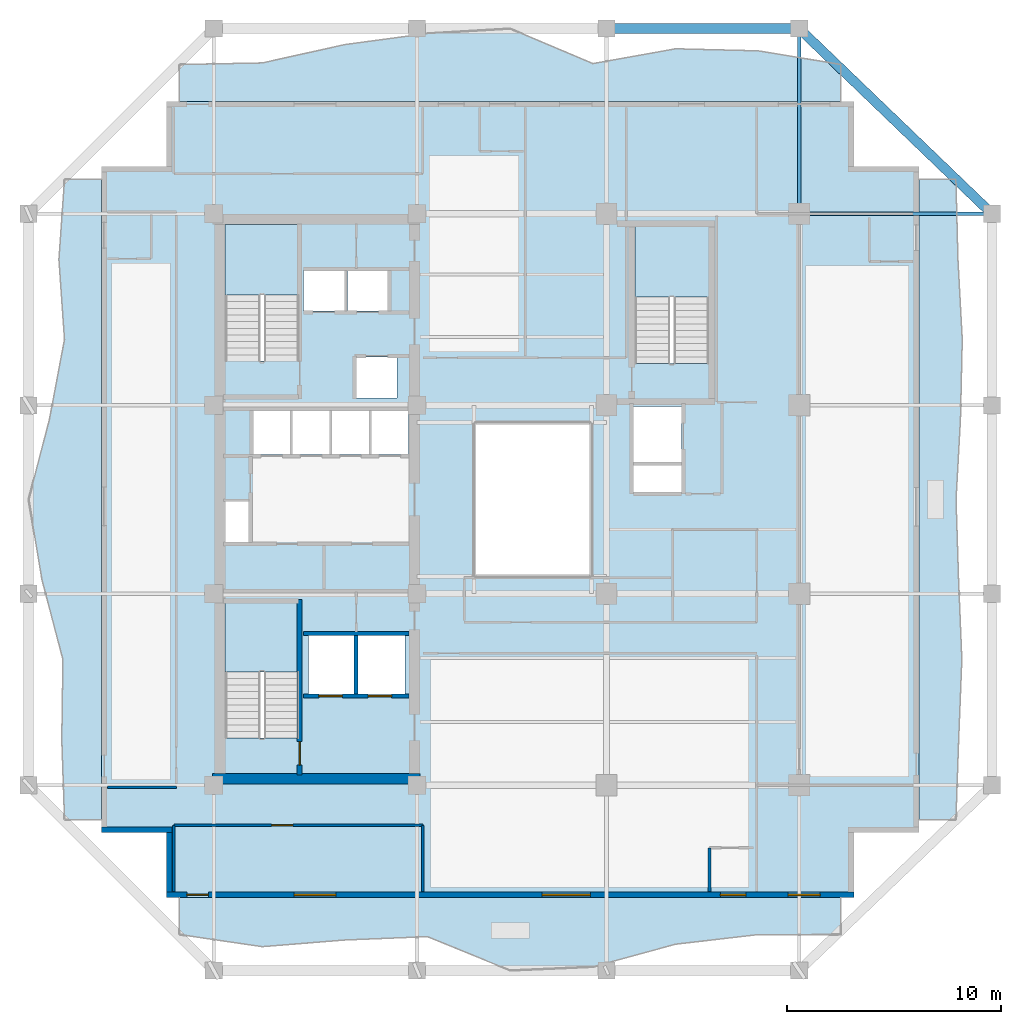
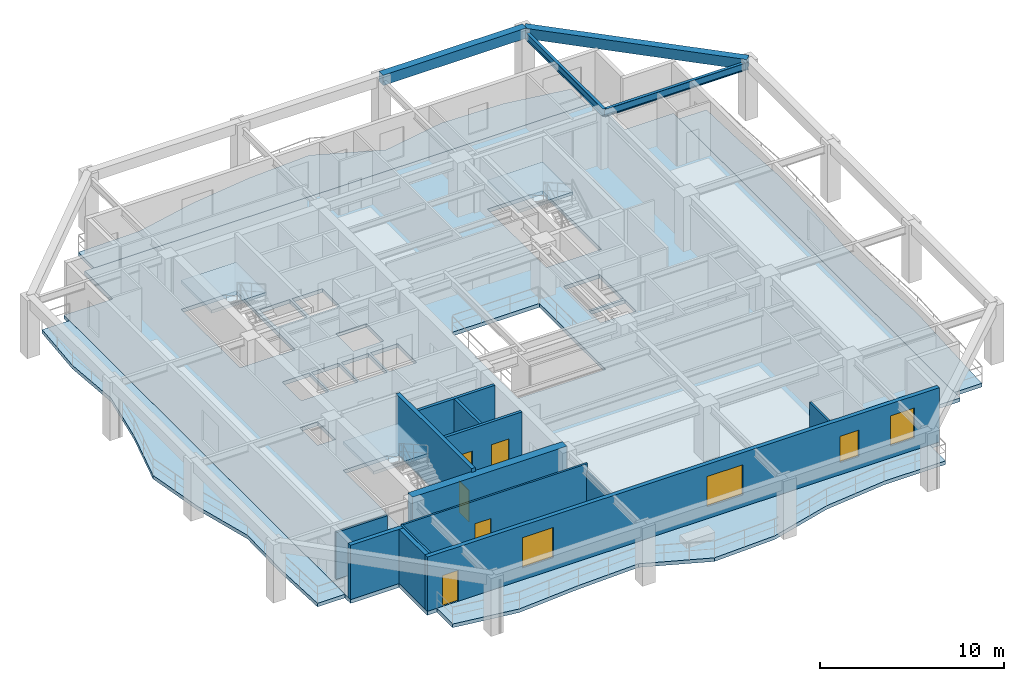
# One storey, part 2 of 10: 13 walls, 8 slabs, 5 doors, 4 beams, 4 windows, 9 openings, 3 elements without a shape of their own.
"""IFC4 building model written with IfcOpenShell, lengths in metres."""

import ifcopenshell
import ifcopenshell.guid

model = None  # the IFC model being written
_history = None  # IfcOwnerHistory: only IFC2X3 demands one
_inside = {}  # id of a spatial element -> (the spatial element, [elements in it])
_under = {}  # id of a project, library or spatial element -> (it, [spatial elements below it])
_declared = {}  # id of a project -> (the project, [libraries it declares])
_typed = {}  # id of a type object -> (the type object, [elements of that type])
_made_of = {}  # id of a material, layer set ... -> (it, [elements and type objects made of it])


def new_model(schema):
    """Start an empty IFC model of exactly this schema.

    Asked for "IFC4X3", IfcOpenShell would pick the latest addendum, in which some entities
    have other attributes; the version numbers below select the first issue.
    IFC2X3 requires an IfcOwnerHistory on every rooted entity: one is made here for all.
    """
    global model, _history
    if schema == "IFC4X3":
        model = ifcopenshell.file(schema_version=(4, 3, 0, 0))
    else:
        model = ifcopenshell.file(schema=schema)
    _inside.clear()
    _under.clear()
    _declared.clear()
    _typed.clear()
    _made_of.clear()
    _history = None
    if model.schema == "IFC2X3":
        org = make("IfcOrganization", Name="unknown")
        user = make(
            "IfcPersonAndOrganization",
            ThePerson=make("IfcPerson", FamilyName="unknown"),
            TheOrganization=org,
        )
        app = make(
            "IfcApplication",
            ApplicationDeveloper=org,
            Version="unknown",
            ApplicationFullName="unknown",
            ApplicationIdentifier="unknown",
        )
        _history = make(
            "IfcOwnerHistory",
            OwningUser=user,
            OwningApplication=app,
            ChangeAction="ADDED",
            CreationDate=0,
        )
    return model


def make(cls, **values):
    """One entity of the class cls with the attributes given. An attribute that is None is left unset."""
    return model.create_entity(
        cls, **{name: value for name, value in values.items() if value is not None}
    )


def rooted(cls, **values):
    """An entity with a GlobalId (a new one), such as an element, a storey or a relation."""
    return make(cls, GlobalId=ifcopenshell.guid.new(), OwnerHistory=_history, **values)


def si_unit(unit_type, name, prefix=None):
    """IfcSIUnit, for example si_unit("LENGTHUNIT", "METRE", prefix="MILLI")."""
    return make("IfcSIUnit", UnitType=unit_type, Prefix=prefix, Name=name)


def assignment(units):
    """IfcUnitAssignment: the units of a project."""
    return None if units is None else make("IfcUnitAssignment", Units=units)


def point(xyz):
    """IfcCartesianPoint."""
    return None if xyz is None else make("IfcCartesianPoint", Coordinates=xyz)


def direction(xyz):
    """IfcDirection."""
    return None if xyz is None else make("IfcDirection", DirectionRatios=xyz)


def frame(location, z_axis=None, x_axis=None):
    """IfcAxis2Placement3D, a coordinate frame: its origin and axes. An axis left out is left unset."""
    return make(
        "IfcAxis2Placement3D",
        Location=point(location),
        Axis=direction(z_axis),
        RefDirection=direction(x_axis),
    )


def frame_2d(location, x_axis=None):
    """IfcAxis2Placement2D, a coordinate frame in the plane: its origin and x axis."""
    return make(
        "IfcAxis2Placement2D", Location=point(location), RefDirection=direction(x_axis)
    )


def origin():
    """The frame at (0, 0, 0) with its axes left unset."""
    return frame((0.0, 0.0, 0.0))


def origin_2d():
    """The frame at (0, 0) in the plane with its x axis left unset."""
    return frame_2d((0.0, 0.0))


def place(relative_to, where):
    """IfcLocalPlacement: puts the frame where relative to a parent placement (None: the world)."""
    return make(
        "IfcLocalPlacement", PlacementRelTo=relative_to, RelativePlacement=where
    )


def context(
    kind, dimensions, precision=None, world=None, true_north=None, identifier=None
):
    """IfcGeometricRepresentationContext, for example the 3D "Model" context."""
    return make(
        "IfcGeometricRepresentationContext",
        ContextIdentifier=identifier,
        ContextType=kind,
        CoordinateSpaceDimension=dimensions,
        Precision=precision,
        WorldCoordinateSystem=world,
        TrueNorth=true_north,
    )


def subcontext(parent, identifier, kind, view, scale=None):
    """IfcGeometricRepresentationSubContext, for example "Body" below "Model"."""
    return make(
        "IfcGeometricRepresentationSubContext",
        ContextIdentifier=identifier,
        ContextType=kind,
        ParentContext=parent,
        TargetScale=scale,
        TargetView=view,
    )


def project(units=None, contexts=None):
    """IfcProject with its units and contexts."""
    return rooted(
        "IfcProject",
        Name="project",
        RepresentationContexts=contexts,
        UnitsInContext=assignment(units),
    )


def spatial(cls, under=None, at=None, **own):
    """A site, building, storey or space (cls), placed at a placement, below another one or the project."""
    s = rooted(cls, ObjectPlacement=at, **own)
    if under is not None:
        _under.setdefault(under.id(), (under, []))[1].append(s)
    return s


def polyline(points):
    """IfcPolyline through the points."""
    return make("IfcPolyline", Points=[point(p) for p in points])


def profile(cls, at=None, kind="AREA", **sizes):
    """A parametric profile (cls). Its sizes go by their IFC names, for example OverallWidth=200.0."""
    return make(cls, ProfileType=kind, Position=at, **sizes)


def rectangle(**sizes):
    """IfcRectangleProfileDef."""
    return profile("IfcRectangleProfileDef", **sizes)


def i_section(**sizes):
    """IfcIShapeProfileDef."""
    return profile("IfcIShapeProfileDef", **sizes)


def outline(outer, holes=None, kind="AREA"):
    """IfcArbitraryClosedProfileDef: a profile drawn as a closed curve; with holes, ...WithVoids."""
    if holes is None:
        return make("IfcArbitraryClosedProfileDef", ProfileType=kind, OuterCurve=outer)
    return make(
        "IfcArbitraryProfileDefWithVoids",
        ProfileType=kind,
        OuterCurve=outer,
        InnerCurves=holes,
    )


def extrude(swept, where, along, depth):
    """IfcExtrudedAreaSolid: the profile swept, set in the frame where, extruded along a direction by depth."""
    return make(
        "IfcExtrudedAreaSolid",
        SweptArea=swept,
        Position=where,
        ExtrudedDirection=direction(along),
        Depth=depth,
    )


def shape(context_of_items, identifier, shape_type, items):
    """IfcShapeRepresentation: the items that make up one representation, for example the "Body"."""
    return make(
        "IfcShapeRepresentation",
        ContextOfItems=context_of_items,
        RepresentationIdentifier=identifier,
        RepresentationType=shape_type,
        Items=items,
    )


def material(Name=None, Category=None):
    """IfcMaterial."""
    return make("IfcMaterial", Name=Name, Category=Category)


def layer(
    of_material, thickness, ventilated=None, Name=None, Category=None, Priority=None
):
    """IfcMaterialLayer: one layer of a wall or slab, of a material (None: an air gap)."""
    return make(
        "IfcMaterialLayer",
        Material=of_material,
        LayerThickness=thickness,
        IsVentilated=ventilated,
        Name=Name,
        Category=Category,
        Priority=Priority,
    )


def layer_set(layers, Name=None):
    """IfcMaterialLayerSet."""
    return make("IfcMaterialLayerSet", MaterialLayers=layers, LayerSetName=Name)


def material_profile(
    of_material, cross_section, Name=None, Category=None, Priority=None
):
    """IfcMaterialProfile: a cross section and its material."""
    return make(
        "IfcMaterialProfile",
        Name=Name,
        Material=of_material,
        Profile=cross_section,
        Priority=Priority,
        Category=Category,
    )


def profile_set(profiles, Name=None, composite=None):
    """IfcMaterialProfileSet."""
    return make(
        "IfcMaterialProfileSet",
        Name=Name,
        MaterialProfiles=profiles,
        CompositeProfile=composite,
    )


def made_of(thing, what):
    """Note that an element or type object is made of a material, layer set ...; save() writes the relation."""
    if what is not None:
        _made_of.setdefault(what.id(), (what, []))[1].append(thing)
    return thing


def type_object(cls, material=None, **own):
    """A type object (cls), such as IfcWallType, which elements share."""
    return made_of(rooted(cls, **own), material)


def element(
    cls,
    number,
    at=None,
    inside=None,
    cuts=None,
    type_object=None,
    material=None,
    context=None,
    identifier="Body",
    shape_type=None,
    held_by="IfcProductDefinitionShape",
    body=None,
    shapes=None,
    **own,
):
    """One element of the class cls, such as IfcWall. Its Tag is "e" and its number.

    at: its placement. inside: the storey or other place that contains it. cuts: it is an
    opening in that element (IfcRelVoidsElement). A single representation is given by context,
    identifier, shape_type and body (its items); several are given by shapes. held_by: the class
    of the entity that holds the representations. save() writes the other relations.
    """
    e = rooted(cls, Tag="e%d" % number, ObjectPlacement=at, **own)
    if body is not None:
        shapes = [shape(context, identifier, shape_type, body)]
    if shapes is not None:
        e.Representation = make(held_by, Representations=shapes)
    if inside is not None:
        _inside.setdefault(inside.id(), (inside, []))[1].append(e)
    if cuts is not None:
        rooted(
            "IfcRelVoidsElement", RelatingBuildingElement=cuts, RelatedOpeningElement=e
        )
    if type_object is not None:
        _typed.setdefault(type_object.id(), (type_object, []))[1].append(e)
    return made_of(e, material)


def fill(opening, filler):
    """IfcRelFillsElement: the door or window that sits in an opening."""
    return rooted(
        "IfcRelFillsElement",
        RelatingOpeningElement=opening,
        RelatedBuildingElement=filler,
    )


def aggregate(whole, parts):
    """IfcRelAggregates: a whole, such as a stair, and the parts it consists of."""
    return rooted("IfcRelAggregates", RelatingObject=whole, RelatedObjects=parts)


def save(model, path):
    """Write the relations noted so far, then the file.

    IfcRelAggregates (storeys below a building ...), IfcRelContainedInSpatialStructure (elements
    in a storey), IfcRelDefinesByType, IfcRelAssociatesMaterial and IfcRelDeclares: one each for
    every whole, place, type object, material and project.
    """
    for whole, parts in _under.values():
        aggregate(whole, parts)
    for where, things in _inside.values():
        rooted(
            "IfcRelContainedInSpatialStructure",
            RelatedElements=things,
            RelatingStructure=where,
        )
    for kind, things in _typed.values():
        rooted("IfcRelDefinesByType", RelatedObjects=things, RelatingType=kind)
    for what, things in _made_of.values():
        rooted("IfcRelAssociatesMaterial", RelatedObjects=things, RelatingMaterial=what)
    for by, libraries in _declared.values():
        rooted("IfcRelDeclares", RelatingContext=by, RelatedDefinitions=libraries)
    model.write(path)


model = new_model("IFC4")

# Units and contexts
model_context = context("Model", 3, precision=1e-05, world=origin(), true_north=direction((0.0, 1.0)))
body_context = subcontext(model_context, "Body", "Model", "MODEL_VIEW")
ifc_project = project(units=[si_unit("LENGTHUNIT", "METRE"), si_unit("AREAUNIT", "SQUARE_METRE"), si_unit("VOLUMEUNIT", "CUBIC_METRE"), si_unit("PLANEANGLEUNIT", "RADIAN"), si_unit("MASSUNIT", "GRAM", prefix="KILO")], contexts=[model_context])

# Site, building, storey
site_placement = place(None, origin())
site = spatial("IfcSite", under=ifc_project, at=site_placement, CompositionType="ELEMENT")
building_placement = place(site_placement, origin())
building = spatial("IfcBuilding", under=site, at=building_placement, Name="Kundavana Baori Tower", CompositionType="ELEMENT")
storey_placement = place(building_placement, frame((0.0, 0.0, 107.85009765625)))
storey = spatial("IfcBuildingStorey", under=building, at=storey_placement, Name="L25", CompositionType="ELEMENT", Elevation=107.85009765625)

# Beams
ifc_material_1 = material(Name="Concrete C50/60", Category="concrete")
ifc_material_profile_1 = material_profile(ifc_material_1, rectangle(XDim=0.449951171875, YDim=0.679931640625, at=origin_2d()), Name="RC BM 450x680")
ifc_profile_set_1 = profile_set([ifc_material_profile_1], Name="Concrete C50/60")
beam_type_1 = type_object("IfcBeamType", Name="BM-PF-680", PredefinedType="SPANDREL", material=ifc_profile_set_1)
beam_1_placement = place(storey_placement, frame((33.800048828125, 50.60009765625, 3.510009765625), z_axis=(1.0, 0.0, 0.0), x_axis=(0.0, 1.0, 0.0)))
element("IfcBeam", 1, at=beam_1_placement, inside=storey, type_object=beam_type_1, Name="L25 Perimeter Frame Ring Beam N3", PredefinedType="SPANDREL", context=body_context, shape_type="SweptSolid", body=[
    extrude(rectangle(XDim=0.449951171875, YDim=0.679931640625, at=origin_2d()), origin(), (0.0, 0.0, 1.0), 9.0),
])
beam_2_placement = place(storey_placement, frame((42.800048828125, 50.60009765625, 3.510009765625), z_axis=(0.720981122985, -0.692954702921, 0.0), x_axis=(0.692954702921, 0.720981122985, 0.0)))
element("IfcBeam", 2, at=beam_2_placement, inside=storey, type_object=beam_type_1, Name="L25 Notched Corner Perimeter Beam NE", PredefinedType="SPANDREL", context=body_context, shape_type="SweptSolid", body=[
    extrude(rectangle(XDim=0.449951171875, YDim=0.679931640625, at=origin_2d()), origin(), (0.0, 0.0, 1.0), 12.48291015625),
])
ifc_material_2 = material(Name="Structural Steel S355JR", Category="steel")
ifc_material_profile_2 = material_profile(ifc_material_2, i_section(OverallWidth=0.179931640625, OverallDepth=0.5, WebThickness=0.01025390625, FlangeThickness=0.01708984375, FilletRadius=0.01708984375, at=origin_2d()), Name="ISMB 500")
ifc_profile_set_2 = profile_set([ifc_material_profile_2], Name="Structural Steel S355JR")
beam_type_2 = type_object("IfcBeamType", Name="BM-TIE-500", PredefinedType="BEAM", material=ifc_profile_set_2)
beam_3_placement = place(storey_placement, frame((42.800048828125, 41.949951171875, 3.349853515625), z_axis=(0.0, 1.0, 0.0), x_axis=(-1.0, 0.0, 0.0)))
element("IfcBeam", 3, at=beam_3_placement, inside=storey, type_object=beam_type_2, Name="L25 North Radial Loggia Tie Beam N4", PredefinedType="BEAM", context=body_context, shape_type="SweptSolid", body=[
    extrude(i_section(OverallWidth=0.179931640625, OverallDepth=0.5, WebThickness=0.01025390625, FlangeThickness=0.01708984375, FilletRadius=0.01708984375, at=origin_2d()), origin(), (0.0, 0.0, 1.0), 8.650146484375),
])
beam_4_placement = place(storey_placement, frame((42.800048828125, 41.949951171875, 3.349853515625), z_axis=(1.0, 0.0, 0.0), x_axis=(0.0, 1.0, 0.0)))
element("IfcBeam", 4, at=beam_4_placement, inside=storey, type_object=beam_type_2, Name="L25 East Radial Loggia Tie Beam E4", PredefinedType="BEAM", context=body_context, shape_type="SweptSolid", body=[
    extrude(i_section(OverallWidth=0.179931640625, OverallDepth=0.5, WebThickness=0.01025390625, FlangeThickness=0.01708984375, FilletRadius=0.01708984375, at=origin_2d()), origin(), (0.0, 0.0, 1.0), 9.0),
])

# Slab
ifc_material_3 = material(Name="Concrete C40/50", Category="concrete")
ifc_layer_1 = layer(ifc_material_3, 0.25, Name="SLB-FLR-250")
ifc_layer_set_1 = layer_set([ifc_layer_1], Name="Concrete C40/50")
slab_type_1 = type_object("IfcSlabType", Name="SLB-FLR-250", PredefinedType="FLOOR", material=ifc_layer_set_1)
slab_1_placement = place(storey_placement, frame((0.0, 0.0, -0.25)))
element("IfcSlab", 5, at=slab_1_placement, inside=storey, type_object=slab_type_1, Name="L25 Structural Floor Slab", PredefinedType="FLOOR", context=body_context, shape_type="SweptSolid", body=[
    extrude(outline(polyline([(13.25, 10.0), (45.35009765625, 10.0), (45.35009765625, 13.050048828125), (48.39990234375, 13.050048828125), (48.39990234375, 44.14990234375), (45.35009765625, 44.14990234375), (45.35009765625, 47.199951171875), (13.25, 47.199951171875), (13.25, 44.14990234375), (10.199951171875, 44.14990234375), (10.199951171875, 13.050048828125), (13.25, 13.050048828125), (13.25, 10.0)]), holes=[polyline([(19.43994140625, 17.4619140625), (19.43994140625, 23.85009765625), (15.97998046875, 23.85009765625), (15.97998046875, 17.4619140625), (19.43994140625, 17.4619140625)]), polyline([(19.43994140625, 35.06201171875), (19.43994140625, 41.449951171875), (15.97998046875, 41.449951171875), (15.97998046875, 35.06201171875), (19.43994140625, 35.06201171875)]), polyline([(38.580078125, 34.9619140625), (38.580078125, 41.35009765625), (35.1201171875, 41.35009765625), (35.1201171875, 34.9619140625), (38.580078125, 34.9619140625)]), polyline([(17.300048828125, 30.699951171875), (19.02001953125, 30.699951171875), (19.02001953125, 32.75), (17.300048828125, 32.75), (17.300048828125, 30.699951171875)]), polyline([(19.139892578125, 30.699951171875), (20.860107421875, 30.699951171875), (20.860107421875, 32.75), (19.139892578125, 32.75), (19.139892578125, 30.699951171875)]), polyline([(20.97998046875, 30.699951171875), (22.699951171875, 30.699951171875), (22.699951171875, 32.75), (20.97998046875, 32.75), (20.97998046875, 30.699951171875)]), polyline([(22.820068359375, 30.699951171875), (24.5400390625, 30.699951171875), (24.5400390625, 32.75), (22.820068359375, 32.75), (22.820068359375, 30.699951171875)]), polyline([(19.64990234375, 37.39990234375), (21.550048828125, 37.39990234375), (21.550048828125, 39.300048828125), (19.64990234375, 39.300048828125), (19.64990234375, 37.39990234375)]), polyline([(21.699951171875, 37.39990234375), (23.60009765625, 37.39990234375), (23.60009765625, 39.300048828125), (21.699951171875, 39.300048828125), (21.699951171875, 37.39990234375)]), polyline([(22.10009765625, 33.35009765625), (24.0, 33.35009765625), (24.0, 35.25), (22.10009765625, 35.25), (22.10009765625, 33.35009765625)]), polyline([(19.8798828125, 19.5), (22.02001953125, 19.5), (22.02001953125, 22.25), (19.8798828125, 22.25), (19.8798828125, 19.5)]), polyline([(22.179931640625, 19.5), (24.3798828125, 19.5), (24.3798828125, 22.25), (22.179931640625, 22.25), (22.179931640625, 19.5)]), polyline([(35.050048828125, 30.35009765625), (37.300048828125, 30.35009765625), (37.300048828125, 32.949951171875), (35.050048828125, 32.949951171875), (35.050048828125, 30.35009765625)]), polyline([(15.949951171875, 26.60009765625), (17.080078125, 26.60009765625), (17.080078125, 28.5), (15.949951171875, 28.5), (15.949951171875, 26.60009765625)]), polyline([(35.050048828125, 28.949951171875), (37.300048828125, 28.949951171875), (37.300048828125, 30.199951171875), (35.050048828125, 30.199951171875), (35.050048828125, 28.949951171875)]), polyline([(27.60009765625, 25.0), (33.10009765625, 25.0), (33.10009765625, 32.199951171875), (27.60009765625, 32.199951171875), (27.60009765625, 25.0)])]), origin(), (0.0, 0.0, 1.0), 0.25),
])

# Stair, slab
ifc_material_4 = material(Name="Concrete C40/50", Category="concrete")
stair_type = type_object("IfcStairType", Name="STR-DOG-1650", PredefinedType="HALF_TURN_STAIR", material=ifc_material_4)
stair_1_placement = place(storey_placement, origin())
stair_1 = element("IfcStair", 6, at=stair_1_placement, inside=storey, type_object=stair_type, Name="L25 Protected Exit Stair ST1", PredefinedType="HALF_TURN_STAIR")
ifc_material_5 = material(Name="Concrete C40/50", Category="concrete")
ifc_layer_2 = layer(ifc_material_5, 0.199951171875, Name="SLB-LND-200")
ifc_layer_set_2 = layer_set([ifc_layer_2], Name="Concrete C40/50")
slab_type_2 = type_object("IfcSlabType", Name="SLB-LND-200", PredefinedType="LANDING", material=ifc_layer_set_2)
slab_2_placement = place(storey_placement, frame((0.0, 0.0, 1.724853515625)))
slab_2 = element("IfcSlab", 7, at=slab_2_placement, type_object=slab_type_2, Name="ST1 landing 1", PredefinedType="LANDING", context=body_context, shape_type="SweptSolid", body=[
    extrude(outline(polyline([(19.43994140625, 20.550048828125), (19.43994140625, 23.85009765625), (15.97998046875, 23.85009765625), (15.97998046875, 20.550048828125), (19.43994140625, 20.550048828125)])), origin(), (0.0, 0.0, 1.0), 0.199951171875),
])
aggregate(stair_1, [slab_2])

stair_2_placement = place(storey_placement, origin())
stair_2 = element("IfcStair", 8, at=stair_2_placement, inside=storey, type_object=stair_type, Name="L25 Protected Exit Stair ST2", PredefinedType="HALF_TURN_STAIR")
slab_3_placement = place(storey_placement, frame((0.0, 0.0, 1.724853515625)))
slab_3 = element("IfcSlab", 9, at=slab_3_placement, type_object=slab_type_2, Name="ST2 landing 1", PredefinedType="LANDING", context=body_context, shape_type="SweptSolid", body=[
    extrude(outline(polyline([(19.43994140625, 38.14990234375), (19.43994140625, 41.449951171875), (15.97998046875, 41.449951171875), (15.97998046875, 38.14990234375), (19.43994140625, 38.14990234375)])), origin(), (0.0, 0.0, 1.0), 0.199951171875),
])
aggregate(stair_2, [slab_3])

stair_3_placement = place(storey_placement, origin())
stair_3 = element("IfcStair", 10, at=stair_3_placement, inside=storey, type_object=stair_type, Name="L25 Protected Exit Stair ST3", PredefinedType="HALF_TURN_STAIR")
slab_4_placement = place(storey_placement, frame((0.0, 0.0, 1.724853515625)))
slab_4 = element("IfcSlab", 11, at=slab_4_placement, type_object=slab_type_2, Name="ST3 landing 1", PredefinedType="LANDING", context=body_context, shape_type="SweptSolid", body=[
    extrude(outline(polyline([(38.580078125, 38.050048828125), (38.580078125, 41.35009765625), (35.1201171875, 41.35009765625), (35.1201171875, 38.050048828125), (38.580078125, 38.050048828125)])), origin(), (0.0, 0.0, 1.0), 0.199951171875),
])
aggregate(stair_3, [slab_4])

# Slabs
ifc_material_6 = material(Name="Concrete C40/50", Category="concrete")
ifc_layer_3 = layer(ifc_material_6, 0.239990234375, Name="SLB-LOG-240")
ifc_layer_set_3 = layer_set([ifc_layer_3], Name="Concrete C40/50")
slab_type_3 = type_object("IfcSlabType", Name="SLB-LOG-240", PredefinedType="FLOOR", material=ifc_layer_set_3)
slab_5_placement = place(storey_placement, frame((0.0, 0.0, -0.239990234375)))
element("IfcSlab", 12, at=slab_5_placement, inside=storey, type_object=slab_type_3, Name="L25 Planted Loggia Balcony Slab S", PredefinedType="FLOOR", context=body_context, shape_type="SweptSolid", body=[
    extrude(outline(polyline([(13.85009765625, 10.0), (44.75, 10.0), (44.75, 8.280029296875), (40.886962890625, 8.27587890625), (37.02490234375, 7.826904296875), (33.1630859375, 6.77001953125), (29.300048828125, 6.60009765625), (25.43798828125, 8.179931640625), (21.574951171875, 8.02294921875), (17.7119140625, 7.7119140625), (13.85009765625, 8.280029296875), (13.85009765625, 10.0)])), origin(), (0.0, 0.0, 1.0), 0.239990234375),
])
slab_6_placement = place(storey_placement, frame((0.0, 0.0, -0.239990234375)))
element("IfcSlab", 13, at=slab_6_placement, inside=storey, type_object=slab_type_3, Name="L25 Planted Loggia Balcony Slab E", PredefinedType="FLOOR", context=body_context, shape_type="SweptSolid", body=[
    extrude(outline(polyline([(48.39990234375, 13.64990234375), (48.39990234375, 43.550048828125), (50.1201171875, 43.550048828125), (50.215087890625, 39.81201171875), (50.4169921875, 36.074951171875), (50.33203125, 32.3369140625), (50.1259765625, 28.60009765625), (50.243896484375, 24.862060546875), (50.39794921875, 21.125), (50.2490234375, 17.386962890625), (50.1201171875, 13.64990234375), (48.39990234375, 13.64990234375)])), origin(), (0.0, 0.0, 1.0), 0.239990234375),
])
slab_7_placement = place(storey_placement, frame((0.0, 0.0, -0.239990234375)))
element("IfcSlab", 14, at=slab_7_placement, inside=storey, type_object=slab_type_3, Name="L25 Planted Loggia Balcony Slab N", PredefinedType="FLOOR", context=body_context, shape_type="SweptSolid", body=[
    extrude(outline(polyline([(44.75, 47.199951171875), (13.85009765625, 47.199951171875), (13.85009765625, 48.919921875), (17.7119140625, 48.993896484375), (21.574951171875, 49.85107421875), (25.43798828125, 50.3720703125), (29.300048828125, 50.60009765625), (33.1630859375, 48.9619140625), (37.02490234375, 49.655029296875), (40.886962890625, 49.55908203125), (44.75, 48.919921875), (44.75, 47.199951171875)])), origin(), (0.0, 0.0, 1.0), 0.239990234375),
])
slab_8_placement = place(storey_placement, frame((0.0, 0.0, -0.239990234375)))
element("IfcSlab", 15, at=slab_8_placement, inside=storey, type_object=slab_type_3, Name="L25 Planted Loggia Balcony Slab W", PredefinedType="FLOOR", context=body_context, shape_type="SweptSolid", body=[
    extrude(outline(polyline([(10.199951171875, 43.550048828125), (10.199951171875, 13.64990234375), (8.47998046875, 13.64990234375), (8.35205078125, 17.386962890625), (8.405029296875, 21.125), (7.424072265625, 24.862060546875), (6.800048828125, 28.60009765625), (7.77392578125, 32.3369140625), (8.47900390625, 36.074951171875), (8.218017578125, 39.81201171875), (8.47998046875, 43.550048828125), (10.199951171875, 43.550048828125)])), origin(), (0.0, 0.0, 1.0), 0.239990234375),
])

# Wall, opening, door
ifc_material_7 = material(Name="Concrete C50/60", Category="concrete")
ifc_layer_4 = layer(ifc_material_7, 0.39990234375, Name="WL-CORE-400")
ifc_layer_set_4 = layer_set([ifc_layer_4], Name="Concrete C50/60")
wall_type_1 = type_object("IfcWallType", Name="WL-CORE-400", PredefinedType="SHEAR", material=ifc_layer_set_4)
wall_1_placement = place(storey_placement, frame((19.4599609375, 15.739990234375, 0.0), z_axis=(0.0, 0.0, 1.0), x_axis=(0.0, 1.0, 0.0)))
wall_1 = element("IfcWall", 16, at=wall_1_placement, inside=storey, type_object=wall_type_1, Name="WL-L25-ST1-E", PredefinedType="SHEAR", context=body_context, shape_type="SweptSolid", body=[
    extrude(rectangle(XDim=8.199951171875, YDim=0.239990234375, at=frame_2d((4.10009765625, 0.0))), origin(), (0.0, 0.0, 1.0), 3.849853515625),
])
opening_1_placement = place(wall_1_placement, frame((0.449951171875, 0.0, 0.0)))
opening_1 = element("IfcOpeningElement", 17, at=opening_1_placement, cuts=wall_1, Name="Opening FD-110", PredefinedType="OPENING", context=body_context, shape_type="SweptSolid", body=[
    extrude(rectangle(XDim=1.10009765625, YDim=2.10009765625, at=frame_2d((0.550048828125, 1.050048828125))), frame((0.0, 0.1298828125, 0.0), z_axis=(0.0, -1.0, 0.0), x_axis=(1.0, 0.0, 0.0)), (0.0, 0.0, 1.0), 0.260009765625),
])
ifc_material_8 = material(Name="Galvanised Steel Fire-Rated Door Leaf", Category="steel")
door_type_1 = type_object("IfcDoorType", Name="DR-FD120-1100", OperationType="NOTDEFINED", PredefinedType="DOOR", material=ifc_material_8)
door_1_placement = place(opening_1_placement, origin())
door_1 = element("IfcDoor", 18, at=door_1_placement, inside=storey, type_object=door_type_1, Name="DR-L25-ST1", OperationType="SINGLE_SWING_LEFT", OverallHeight=2.10009765625, OverallWidth=1.10009765625, PredefinedType="DOOR", context=body_context, shape_type="SweptSolid", body=[
    extrude(rectangle(XDim=1.10009765625, YDim=2.10009765625, at=frame_2d((0.550048828125, 1.050048828125))), frame((0.0, 0.02490234375, 0.0), z_axis=(0.0, -1.0, 0.0), x_axis=(1.0, 0.0, 0.0)), (0.0, 0.0, 1.0), 0.050048828125),
])
fill(opening_1, door_1)

# Wall
ifc_material_9 = material(Name="Concrete C50/60", Category="concrete")
ifc_layer_5 = layer(ifc_material_9, 0.5, Name="WL-CORE-500")
ifc_layer_set_5 = layer_set([ifc_layer_5], Name="Concrete C50/60")
wall_type_2 = type_object("IfcWallType", Name="WL-CORE-500", PredefinedType="SHEAR", material=ifc_layer_set_5)
wall_2_placement = place(storey_placement, frame((15.39990234375, 15.56005859375, 0.0), z_axis=(0.0, 0.0, 1.0), x_axis=(1.0, 0.0, 0.0)))
element("IfcWall", 19, at=wall_2_placement, inside=storey, type_object=wall_type_2, Name="L25 Offset Core South Shear Wall", PredefinedType="SHEAR", context=body_context, shape_type="SweptSolid", body=[
    extrude(rectangle(XDim=9.68017578125, YDim=0.5, at=frame_2d((4.840087890625, 0.0))), origin(), (0.0, 0.0, 1.0), 3.599853515625),
])

# Wall, openings, door, windows
ifc_material_10 = material(Name="Kiln-Fired Terracotta Brick-Slip Masonry on Concrete C40/50", Category="masonry")
ifc_layer_6 = layer(ifc_material_10, 0.260009765625, Name="WL-EXT-BRK-260")
ifc_layer_set_6 = layer_set([ifc_layer_6], Name="Kiln-Fired Terracotta Brick-Slip Masonry on Concrete C40/50")
wall_type_3 = type_object("IfcWallType", Name="WL-EXT-BRK-260", PredefinedType="SOLIDWALL", material=ifc_layer_set_6)
wall_3_placement = place(storey_placement, frame((13.25, 10.1298828125, 0.0), z_axis=(0.0, 0.0, 1.0), x_axis=(1.0, 0.0, 0.0)))
wall_3 = element("IfcWall", 20, at=wall_3_placement, inside=storey, type_object=wall_type_3, Name="L25 Exterior Insulated Facade Wall 01", PredefinedType="SOLIDWALL", context=body_context, shape_type="SweptSolid", body=[
    extrude(rectangle(XDim=32.10009765625, YDim=0.260009765625, at=frame_2d((16.050048828125, 0.0))), origin(), (0.0, 0.0, 1.0), 3.599853515625),
])
opening_2_placement = place(wall_3_placement, frame((0.949951171875, 0.0, 0.0)))
opening_2 = element("IfcOpeningElement", 21, at=opening_2_placement, cuts=wall_3, Name="Opening BD-1", PredefinedType="OPENING", context=body_context, shape_type="SweptSolid", body=[
    extrude(rectangle(XDim=1.0, YDim=2.050048828125, at=frame_2d((0.5, 1.02490234375))), frame((0.0, 0.14013671875, 0.0), z_axis=(0.0, -1.0, 0.0), x_axis=(1.0, 0.0, 0.0)), (0.0, 0.0, 1.0), 0.280029296875),
])
opening_3_placement = place(wall_3_placement, frame((5.955078125, 0.0, 0.800048828125)))
opening_3 = element("IfcOpeningElement", 22, at=opening_3_placement, cuts=wall_3, Name="Opening W-09", PredefinedType="OPENING", context=body_context, shape_type="SweptSolid", body=[
    extrude(rectangle(XDim=1.949951171875, YDim=2.0, at=frame_2d((0.97509765625, 1.0))), frame((0.0, 0.14013671875, 0.0), z_axis=(0.0, -1.0, 0.0), x_axis=(1.0, 0.0, 0.0)), (0.0, 0.0, 1.0), 0.280029296875),
])
opening_4_placement = place(wall_3_placement, frame((17.5400390625, 0.0, 0.800048828125)))
opening_4 = element("IfcOpeningElement", 23, at=opening_4_placement, cuts=wall_3, Name="Opening W-10", PredefinedType="OPENING", context=body_context, shape_type="SweptSolid", body=[
    extrude(rectangle(XDim=2.25, YDim=2.0, at=frame_2d((1.125, 1.0))), frame((0.0, 0.14013671875, 0.0), z_axis=(0.0, -1.0, 0.0), x_axis=(1.0, 0.0, 0.0)), (0.0, 0.0, 1.0), 0.280029296875),
])
opening_5_placement = place(wall_3_placement, frame((25.864990234375, 0.0, 0.800048828125)))
opening_5 = element("IfcOpeningElement", 24, at=opening_5_placement, cuts=wall_3, Name="Opening W-03", PredefinedType="OPENING", context=body_context, shape_type="SweptSolid", body=[
    extrude(rectangle(XDim=1.199951171875, YDim=1.75, at=frame_2d((0.60009765625, 0.875))), frame((0.0, 0.14013671875, 0.0), z_axis=(0.0, -1.0, 0.0), x_axis=(1.0, 0.0, 0.0)), (0.0, 0.0, 1.0), 0.280029296875),
])
opening_6_placement = place(wall_3_placement, frame((29.030029296875, 0.0, 0.800048828125)))
opening_6 = element("IfcOpeningElement", 25, at=opening_6_placement, cuts=wall_3, Name="Opening W-02", PredefinedType="OPENING", context=body_context, shape_type="SweptSolid", body=[
    extrude(rectangle(XDim=1.5, YDim=2.0, at=frame_2d((0.75, 1.0))), frame((0.0, 0.14013671875, 0.0), z_axis=(0.0, -1.0, 0.0), x_axis=(1.0, 0.0, 0.0)), (0.0, 0.0, 1.0), 0.280029296875),
])
ifc_material_11 = material(Name="Architectural Patinated Bronze Metalwork")
door_type_2 = type_object("IfcDoorType", Name="DR-EXT-LOG-1000", OperationType="NOTDEFINED", PredefinedType="DOOR", material=ifc_material_11)
door_2_placement = place(opening_2_placement, frame((1.0, 0.0, 0.0), z_axis=(0.0, 0.0, 1.0), x_axis=(-1.0, 0.0, 0.0)))
door_2 = element("IfcDoor", 26, at=door_2_placement, inside=storey, type_object=door_type_2, Name="L25 Loggia Balcony Access Door S", OperationType="SINGLE_SWING_LEFT", OverallHeight=2.050048828125, OverallWidth=1.0, PredefinedType="DOOR", context=body_context, shape_type="SweptSolid", body=[
    extrude(rectangle(XDim=1.0, YDim=2.050048828125, at=frame_2d((0.5, 1.02490234375))), frame((0.0, 0.02490234375, 0.0), z_axis=(0.0, -1.0, 0.0), x_axis=(1.0, 0.0, 0.0)), (0.0, 0.0, 1.0), 0.050048828125),
])
fill(opening_2, door_2)
ifc_material_12 = material(Name="Double-Glazed Solar-Control Low-E Insulated Glass", Category="glass")
window_type_1 = type_object("IfcWindowType", Name="WIN-LOG-1200x1750", PartitioningType="SINGLE_PANEL", PredefinedType="WINDOW", material=ifc_material_12)
window_1_placement = place(opening_5_placement, origin())
window_1 = element("IfcWindow", 27, at=window_1_placement, inside=storey, type_object=window_type_1, Name="L25 Recessed Loggia Window S-3", OverallHeight=1.75, OverallWidth=1.199951171875, PartitioningType="SINGLE_PANEL", PredefinedType="WINDOW", context=body_context, shape_type="SweptSolid", body=[
    extrude(rectangle(XDim=1.199951171875, YDim=1.75, at=frame_2d((0.60009765625, 0.875))), frame((0.0, 0.030029296875, 0.0), z_axis=(0.0, -1.0, 0.0), x_axis=(1.0, 0.0, 0.0)), (0.0, 0.0, 1.0), 0.06005859375),
])
fill(opening_5, window_1)
ifc_material_13 = material(Name="Double-Glazed Solar-Control Low-E Insulated Glass", Category="glass")
window_type_2 = type_object("IfcWindowType", Name="WIN-LOG-1500x2000", PartitioningType="SINGLE_PANEL", PredefinedType="WINDOW", material=ifc_material_13)
window_2_placement = place(opening_6_placement, origin())
window_2 = element("IfcWindow", 28, at=window_2_placement, inside=storey, type_object=window_type_2, Name="L25 Recessed Loggia Window S-4", OverallHeight=2.0, OverallWidth=1.5, PartitioningType="SINGLE_PANEL", PredefinedType="WINDOW", context=body_context, shape_type="SweptSolid", body=[
    extrude(rectangle(XDim=1.5, YDim=2.0, at=frame_2d((0.75, 1.0))), frame((0.0, 0.030029296875, 0.0), z_axis=(0.0, -1.0, 0.0), x_axis=(1.0, 0.0, 0.0)), (0.0, 0.0, 1.0), 0.06005859375),
])
fill(opening_6, window_2)
ifc_material_14 = material(Name="Double-Glazed Solar-Control Low-E Insulated Glass", Category="glass")
window_type_3 = type_object("IfcWindowType", Name="WIN-LOG-1950x2000", PartitioningType="SINGLE_PANEL", PredefinedType="WINDOW", material=ifc_material_14)
window_3_placement = place(opening_3_placement, origin())
window_3 = element("IfcWindow", 29, at=window_3_placement, inside=storey, type_object=window_type_3, Name="L25 Recessed Loggia Window S-1", OverallHeight=2.0, OverallWidth=1.949951171875, PartitioningType="SINGLE_PANEL", PredefinedType="WINDOW", context=body_context, shape_type="SweptSolid", body=[
    extrude(rectangle(XDim=1.949951171875, YDim=2.0, at=frame_2d((0.97509765625, 1.0))), frame((0.0, 0.030029296875, 0.0), z_axis=(0.0, -1.0, 0.0), x_axis=(1.0, 0.0, 0.0)), (0.0, 0.0, 1.0), 0.06005859375),
])
fill(opening_3, window_3)
ifc_material_15 = material(Name="Double-Glazed Solar-Control Low-E Insulated Glass", Category="glass")
window_type_4 = type_object("IfcWindowType", Name="WIN-LOG-2250x2000", PartitioningType="SINGLE_PANEL", PredefinedType="WINDOW", material=ifc_material_15)
window_4_placement = place(opening_4_placement, origin())
window_4 = element("IfcWindow", 30, at=window_4_placement, inside=storey, type_object=window_type_4, Name="L25 Recessed Loggia Window S-2", OverallHeight=2.0, OverallWidth=2.25, PartitioningType="SINGLE_PANEL", PredefinedType="WINDOW", context=body_context, shape_type="SweptSolid", body=[
    extrude(rectangle(XDim=2.25, YDim=2.0, at=frame_2d((1.125, 1.0))), frame((0.0, 0.030029296875, 0.0), z_axis=(0.0, -1.0, 0.0), x_axis=(1.0, 0.0, 0.0)), (0.0, 0.0, 1.0), 0.06005859375),
])
fill(opening_4, window_4)

# Walls
wall_4_placement = place(storey_placement, frame((10.199951171875, 13.179931640625, 0.0), z_axis=(0.0, 0.0, 1.0), x_axis=(1.0, 0.0, 0.0)))
element("IfcWall", 31, at=wall_4_placement, inside=storey, type_object=wall_type_3, Name="L25 Exterior Insulated Facade Wall 11", PredefinedType="SOLIDWALL", context=body_context, shape_type="SweptSolid", body=[
    extrude(rectangle(XDim=3.31005859375, YDim=0.260009765625, at=frame_2d((1.655029296875, 0.0))), origin(), (0.0, 0.0, 1.0), 3.599853515625),
])
wall_5_placement = place(storey_placement, frame((13.3798828125, 13.050048828125, 0.0), z_axis=(0.0, 0.0, 1.0), x_axis=(0.0, -1.0, 0.0)))
element("IfcWall", 32, at=wall_5_placement, inside=storey, type_object=wall_type_3, Name="L25 Exterior Insulated Facade Wall 12", PredefinedType="SOLIDWALL", context=body_context, shape_type="SweptSolid", body=[
    extrude(rectangle(XDim=2.7900390625, YDim=0.260009765625, at=frame_2d((1.39501953125, 0.0))), origin(), (0.0, 0.0, 1.0), 3.599853515625),
])
ifc_material_16 = material(Name="Acoustic Gypsum Plasterboard on Galvanised Steel Studs", Category="steel")
ifc_layer_7 = layer(ifc_material_16, 0.1201171875, Name="WL-PART-120")
ifc_layer_set_7 = layer_set([ifc_layer_7], Name="Acoustic Gypsum Plasterboard on Galvanised Steel Studs")
wall_type_4 = type_object("IfcWallType", Name="WL-PART-120", PredefinedType="PARTITIONING", material=ifc_layer_set_7)
wall_6_placement = place(storey_placement, frame((10.47998046875, 15.159912109375, 0.0), z_axis=(0.0, 0.0, 1.0), x_axis=(1.0, 0.0, 0.0)))
element("IfcWall", 33, at=wall_6_placement, inside=storey, type_object=wall_type_4, Name="WL-L25-HWS", PredefinedType="PARTITIONING", context=body_context, shape_type="SweptSolid", body=[
    extrude(rectangle(XDim=3.219970703125, YDim=0.1201171875, at=frame_2d((1.60986328125, 0.0))), origin(), (0.0, 0.0, 1.0), 3.099853515625),
])

# Wall, opening, door
wall_7_placement = place(storey_placement, frame((13.590087890625, 13.3798828125, 0.0), z_axis=(0.0, 0.0, 1.0), x_axis=(1.0, 0.0, 0.0)))
wall_7 = element("IfcWall", 34, at=wall_7_placement, inside=storey, type_object=wall_type_4, Name="WL-L25-HSC", PredefinedType="PARTITIONING", context=body_context, shape_type="SweptSolid", body=[
    extrude(rectangle(XDim=11.6298828125, YDim=0.1201171875, at=frame_2d((5.81494140625, 0.0))), origin(), (0.0, 0.0, 1.0), 3.599853515625),
])
opening_7_placement = place(wall_7_placement, frame((4.56005859375, 0.0, 0.0)))
opening_7 = element("IfcOpeningElement", 35, at=opening_7_placement, cuts=wall_7, Name="Opening ID-100", PredefinedType="OPENING", context=body_context, shape_type="SweptSolid", body=[
    extrude(rectangle(XDim=1.0, YDim=2.080078125, at=frame_2d((0.5, 1.0400390625))), frame((0.0, 0.070068359375, 0.0), z_axis=(0.0, -1.0, 0.0), x_axis=(1.0, 0.0, 0.0)), (0.0, 0.0, 1.0), 0.14013671875),
])
ifc_material_17 = material(Name="Engineered Teak Solid-Core Timber Veneer", Category="wood")
door_type_3 = type_object("IfcDoorType", Name="DR-INT-1000", OperationType="NOTDEFINED", PredefinedType="DOOR", material=ifc_material_17)
door_3_placement = place(opening_7_placement, frame((1.0, 0.0, 0.0), z_axis=(0.0, 0.0, 1.0), x_axis=(-1.0, 0.0, 0.0)))
door_3 = element("IfcDoor", 36, at=door_3_placement, inside=storey, type_object=door_type_3, Name="DR-L25-HMSW", OperationType="SINGLE_SWING_LEFT", OverallHeight=2.080078125, OverallWidth=1.0, PredefinedType="DOOR", context=body_context, shape_type="SweptSolid", body=[
    extrude(rectangle(XDim=1.0, YDim=2.080078125, at=frame_2d((0.5, 1.0400390625))), frame((0.0, 0.02490234375, 0.0), z_axis=(0.0, -1.0, 0.0), x_axis=(1.0, 0.0, 0.0)), (0.0, 0.0, 1.0), 0.050048828125),
])
fill(opening_7, door_3)

# Walls
wall_8_placement = place(storey_placement, frame((13.590087890625, 10.280029296875, 0.0), z_axis=(0.0, 0.0, 1.0), x_axis=(0.0, 1.0, 0.0)))
element("IfcWall", 37, at=wall_8_placement, inside=storey, type_object=wall_type_4, Name="WL-L25-HSCW", PredefinedType="PARTITIONING", context=body_context, shape_type="SweptSolid", body=[
    extrude(rectangle(XDim=3.099853515625, YDim=0.1201171875, at=frame_2d((1.5498046875, 0.0))), origin(), (0.0, 0.0, 1.0), 3.599853515625),
])
wall_9_placement = place(storey_placement, frame((25.219970703125, 10.280029296875, 0.0), z_axis=(0.0, 0.0, 1.0), x_axis=(0.0, 1.0, 0.0)))
element("IfcWall", 38, at=wall_9_placement, inside=storey, type_object=wall_type_4, Name="WL-L25-HSCE", PredefinedType="PARTITIONING", context=body_context, shape_type="SweptSolid", body=[
    extrude(rectangle(XDim=3.099853515625, YDim=0.1201171875, at=frame_2d((1.5498046875, 0.0))), origin(), (0.0, 0.0, 1.0), 3.099853515625),
])

# Wall, openings, doors
ifc_material_18 = material(Name="Autoclaved Aerated Concrete Blockwork Masonry", Category="masonry")
ifc_layer_8 = layer(ifc_material_18, 0.179931640625, Name="WL-SHAFT-180")
ifc_layer_set_8 = layer_set([ifc_layer_8], Name="Autoclaved Aerated Concrete Blockwork Masonry")
wall_type_5 = type_object("IfcWallType", Name="WL-SHAFT-180", PredefinedType="SOLIDWALL", material=ifc_layer_set_8)
wall_10_placement = place(storey_placement, frame((19.639892578125, 19.419921875, 0.0), z_axis=(0.0, 0.0, 1.0), x_axis=(1.0, 0.0, 0.0)))
wall_10 = element("IfcWall", 39, at=wall_10_placement, inside=storey, type_object=wall_type_5, Name="WL-L25-FFL-S", PredefinedType="SOLIDWALL", context=body_context, shape_type="SweptSolid", body=[
    extrude(rectangle(XDim=4.940185546875, YDim=0.179931640625, at=frame_2d((2.47021484375, 0.0))), origin(), (0.0, 0.0, 1.0), 3.599853515625),
])
opening_8_placement = place(wall_10_placement, frame((0.719970703125, 0.0, 0.0)))
opening_8 = element("IfcOpeningElement", 40, at=opening_8_placement, cuts=wall_10, Name="Opening LD-110", PredefinedType="OPENING", context=body_context, shape_type="SweptSolid", body=[
    extrude(rectangle(XDim=1.10009765625, YDim=2.10009765625, at=frame_2d((0.550048828125, 1.050048828125))), frame((0.0, 0.10009765625, 0.0), z_axis=(0.0, -1.0, 0.0), x_axis=(1.0, 0.0, 0.0)), (0.0, 0.0, 1.0), 0.199951171875),
])
opening_9_placement = place(wall_10_placement, frame((3.02001953125, 0.0, 0.0)))
opening_9 = element("IfcOpeningElement", 41, at=opening_9_placement, cuts=wall_10, Name="Opening LD-110", PredefinedType="OPENING", context=body_context, shape_type="SweptSolid", body=[
    extrude(rectangle(XDim=1.10009765625, YDim=2.10009765625, at=frame_2d((0.550048828125, 1.050048828125))), frame((0.0, 0.10009765625, 0.0), z_axis=(0.0, -1.0, 0.0), x_axis=(1.0, 0.0, 0.0)), (0.0, 0.0, 1.0), 0.199951171875),
])
ifc_material_19 = material(Name="Galvanised Steel Fire-Rated Door Leaf", Category="steel")
door_type_4 = type_object("IfcDoorType", Name="DR-SLIDE-LD1100", OperationType="NOTDEFINED", PredefinedType="DOOR", material=ifc_material_19)
door_4_placement = place(opening_8_placement, origin())
door_4 = element("IfcDoor", 42, at=door_4_placement, inside=storey, type_object=door_type_4, Name="DR-L25-LD-FFL-1", OperationType="DOUBLE_DOOR_SLIDING", OverallHeight=2.10009765625, OverallWidth=1.10009765625, PredefinedType="DOOR", context=body_context, shape_type="SweptSolid", body=[
    extrude(rectangle(XDim=1.10009765625, YDim=2.10009765625, at=frame_2d((0.550048828125, 1.050048828125))), frame((0.0, 0.02490234375, 0.0), z_axis=(0.0, -1.0, 0.0), x_axis=(1.0, 0.0, 0.0)), (0.0, 0.0, 1.0), 0.050048828125),
])
fill(opening_8, door_4)
door_5_placement = place(opening_9_placement, origin())
door_5 = element("IfcDoor", 43, at=door_5_placement, inside=storey, type_object=door_type_4, Name="DR-L25-LD-FFL-2", OperationType="DOUBLE_DOOR_SLIDING", OverallHeight=2.10009765625, OverallWidth=1.10009765625, PredefinedType="DOOR", context=body_context, shape_type="SweptSolid", body=[
    extrude(rectangle(XDim=1.10009765625, YDim=2.10009765625, at=frame_2d((0.550048828125, 1.050048828125))), frame((0.0, 0.02490234375, 0.0), z_axis=(0.0, -1.0, 0.0), x_axis=(1.0, 0.0, 0.0)), (0.0, 0.0, 1.0), 0.050048828125),
])
fill(opening_9, door_5)

# Walls
wall_11_placement = place(storey_placement, frame((22.10009765625, 19.510009765625, 0.0), z_axis=(0.0, 0.0, 1.0), x_axis=(0.0, 1.0, 0.0)))
element("IfcWall", 44, at=wall_11_placement, inside=storey, type_object=wall_type_5, Name="WL-L25-FFL-MID", PredefinedType="SOLIDWALL", context=body_context, shape_type="SweptSolid", body=[
    extrude(rectangle(XDim=2.739990234375, YDim=0.179931640625, at=frame_2d((1.3701171875, 0.0))), origin(), (0.0, 0.0, 1.0), 3.599853515625),
])
wall_12_placement = place(storey_placement, frame((19.639892578125, 22.340087890625, 0.0), z_axis=(0.0, 0.0, 1.0), x_axis=(1.0, 0.0, 0.0)))
element("IfcWall", 45, at=wall_12_placement, inside=storey, type_object=wall_type_5, Name="WL-L25-FFL-N", PredefinedType="SOLIDWALL", context=body_context, shape_type="SweptSolid", body=[
    extrude(rectangle(XDim=4.940185546875, YDim=0.179931640625, at=frame_2d((2.47021484375, 0.0))), origin(), (0.0, 0.0, 1.0), 3.599853515625),
])
ifc_material_20 = material(Name="Autoclaved Aerated Concrete Blockwork Masonry", Category="masonry")
ifc_layer_9 = layer(ifc_material_20, 0.125, Name="WL-WET-120")
ifc_layer_set_9 = layer_set([ifc_layer_9], Name="Autoclaved Aerated Concrete Blockwork Masonry")
wall_type_6 = type_object("IfcWallType", Name="WL-WET-120", PredefinedType="PLUMBINGWALL", material=ifc_layer_set_9)
wall_13_placement = place(storey_placement, frame((38.610107421875, 10.280029296875, 0.0), z_axis=(0.0, 0.0, 1.0), x_axis=(0.0, 1.0, 0.0)))
element("IfcWall", 46, at=wall_13_placement, inside=storey, type_object=wall_type_6, Name="WL-L25-HK-S1-BW", PredefinedType="PLUMBINGWALL", context=body_context, shape_type="SweptSolid", body=[
    extrude(rectangle(XDim=2.050048828125, YDim=0.125, at=frame_2d((1.02490234375, 0.0))), origin(), (0.0, 0.0, 1.0), 3.599853515625),
])

save(model, "model.ifc")
